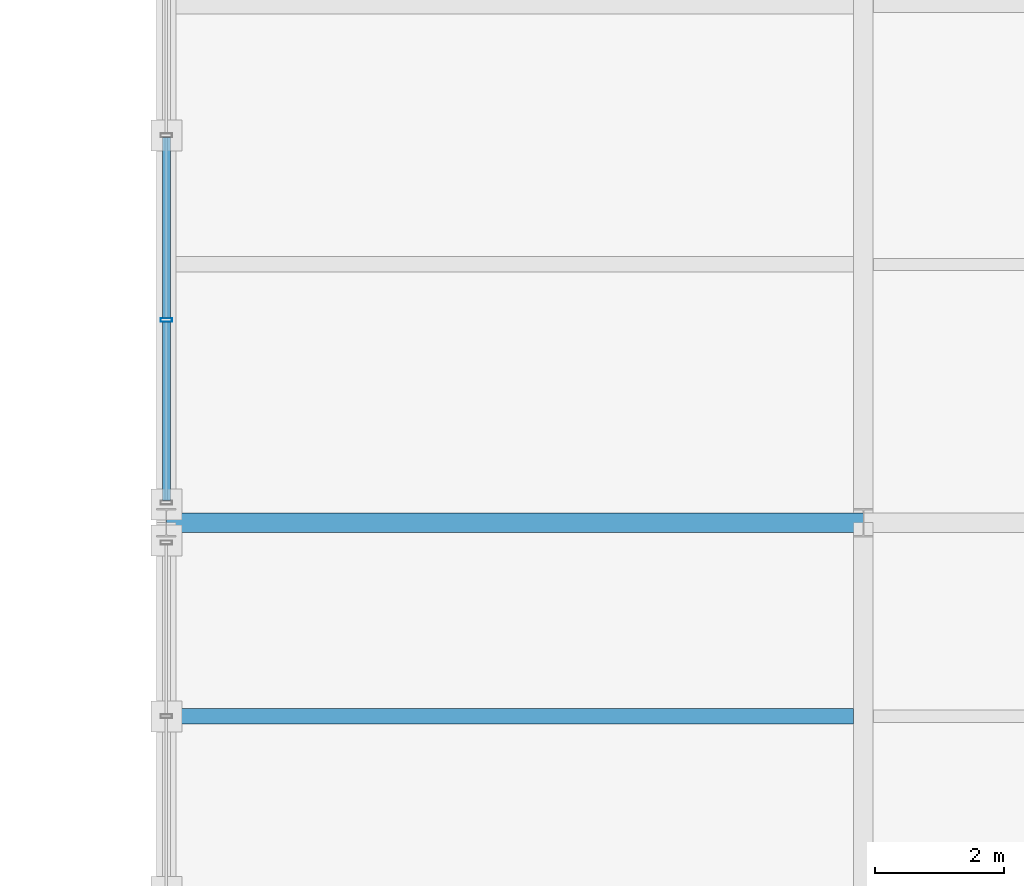
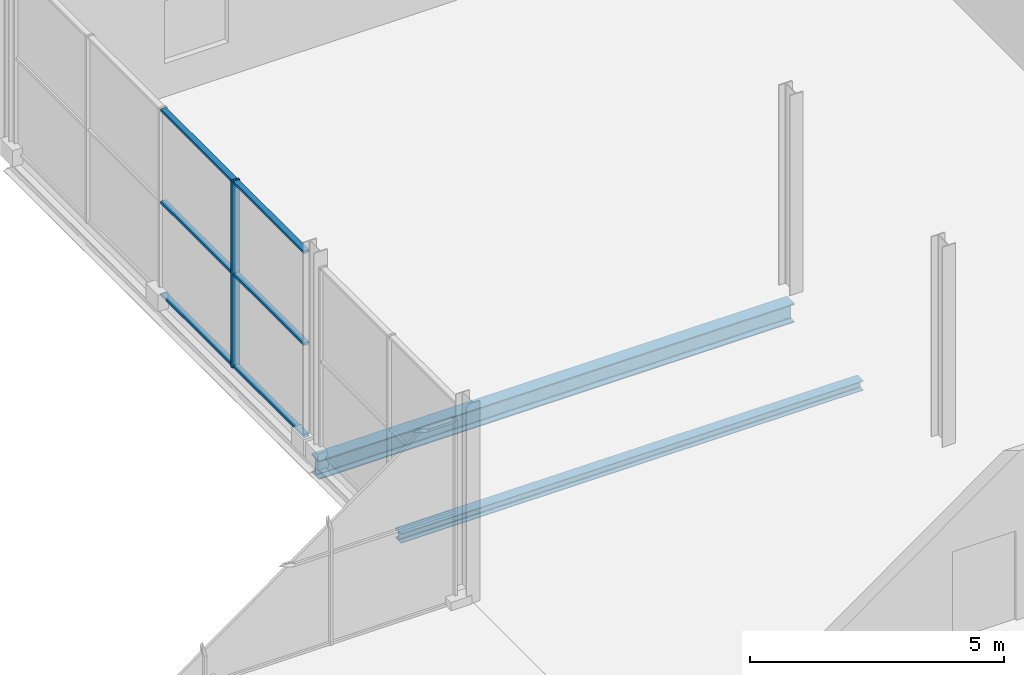
# One storey, part 113 of 159: 7 members, 2 beams, 1 element without a shape of its own.
"""IFC4 building model written with IfcOpenShell, lengths in metres."""

from ifc_helpers import new_model, si_unit, direction, frame, origin, origin_2d, place, context, subcontext, project, spatial, hollow_rectangle, i_section, extrude, material, material_profile, profile_set, type_object, element, aggregate, save


model = new_model("IFC4")

# Units and contexts
model_context = context("Model", 3, precision=1e-05, world=origin(), true_north=direction((0.0, 1.0)))
body_context = subcontext(model_context, "Body", "Model", "MODEL_VIEW")
ifc_project = project(units=[si_unit("LENGTHUNIT", "METRE"), si_unit("AREAUNIT", "SQUARE_METRE"), si_unit("VOLUMEUNIT", "CUBIC_METRE"), si_unit("PLANEANGLEUNIT", "RADIAN"), si_unit("MASSUNIT", "GRAM", prefix="KILO")], contexts=[model_context])

# Site, building, storey
site_placement = place(None, origin())
site = spatial("IfcSite", under=ifc_project, at=site_placement, CompositionType="ELEMENT")
building_placement = place(site_placement, origin())
building = spatial("IfcBuilding", under=site, at=building_placement, Name="Merenkruunu Market Hall", CompositionType="ELEMENT")
storey_placement = place(building_placement, frame((0.0, 0.0, 5.39990234375)))
storey = spatial("IfcBuildingStorey", under=building, at=storey_placement, Name="L01", CompositionType="ELEMENT", Elevation=5.39990234375)

# Curtain wall, members
ifc_material_1 = material(Name="Powder-coated aluminium", Category="aluminium")
curtain_wall_type = type_object("IfcCurtainWallType", Name="Glazed Curtain Wall CW14", PredefinedType="USERDEFINED", material=ifc_material_1)
curtain_wall_placement = place(storey_placement, origin())
curtain_wall = element("IfcCurtainWall", 1, at=curtain_wall_placement, inside=storey, type_object=curtain_wall_type, Name="CW-L01-CWM02-214", ObjectType="GLAZED_FACADE", PredefinedType="USERDEFINED")
ifc_material_profile_1 = material_profile(ifc_material_1, hollow_rectangle(XDim=0.06005859375, YDim=0.179931640625, WallThickness=0.00390625, at=origin_2d()), Name="ALU 60x180x4")
ifc_profile_set_1 = profile_set([ifc_material_profile_1], Name="Powder-coated aluminium")
member_type_1 = type_object("IfcMemberType", Name="Curtain Wall Mullion CWM02", PredefinedType="MULLION", material=ifc_profile_set_1)
member_1_placement = place(storey_placement, frame((148.800048828125, 54.739990234375, 0.0), z_axis=(0.0, 0.0, 1.0), x_axis=(0.0, 1.0, 0.0)))
member_1 = element("IfcMember", 2, at=member_1_placement, type_object=member_type_1, Name="CW14 mullion 2", PredefinedType="MULLION", context=body_context, shape_type="SweptSolid", body=[
    extrude(hollow_rectangle(XDim=0.06005859375, YDim=0.179931640625, WallThickness=0.00390625, at=origin_2d()), origin(), (0.0, 0.0, 1.0), 4.47998046875),
])
ifc_material_profile_2 = material_profile(ifc_material_1, hollow_rectangle(XDim=0.06005859375, YDim=0.125, WallThickness=0.00390625, at=origin_2d()), Name="ALU 60x125x4")
ifc_profile_set_2 = profile_set([ifc_material_profile_2], Name="Powder-coated aluminium")
member_type_2 = type_object("IfcMemberType", Name="Curtain Wall Transom CWT01", PredefinedType="USERDEFINED", material=ifc_profile_set_2)
member_2_placement = place(storey_placement, frame((148.800048828125, 51.93994140625, 0.030029296875), z_axis=(0.0, 1.0, 0.0), x_axis=(0.0, 0.0, 1.0)))
member_2 = element("IfcMember", 3, at=member_2_placement, type_object=member_type_2, Name="CW14 transom 1.1", ObjectType="TRANSOM", PredefinedType="USERDEFINED", context=body_context, shape_type="SweptSolid", body=[
    extrude(hollow_rectangle(XDim=0.06005859375, YDim=0.125, WallThickness=0.00390625, at=origin_2d()), origin(), (0.0, 0.0, 1.0), 2.77001953125),
])
member_3_placement = place(storey_placement, frame((148.800048828125, 51.93994140625, 2.239990234375), z_axis=(0.0, 1.0, 0.0), x_axis=(0.0, 0.0, 1.0)))
member_3 = element("IfcMember", 4, at=member_3_placement, type_object=member_type_2, Name="CW14 transom 1.2", ObjectType="TRANSOM", PredefinedType="USERDEFINED", context=body_context, shape_type="SweptSolid", body=[
    extrude(hollow_rectangle(XDim=0.06005859375, YDim=0.125, WallThickness=0.00390625, at=origin_2d()), origin(), (0.0, 0.0, 1.0), 2.77001953125),
])
member_4_placement = place(storey_placement, frame((148.800048828125, 51.93994140625, 4.4501953125), z_axis=(0.0, 1.0, 0.0), x_axis=(0.0, 0.0, 1.0)))
member_4 = element("IfcMember", 5, at=member_4_placement, type_object=member_type_2, Name="CW14 transom 1.3", ObjectType="TRANSOM", PredefinedType="USERDEFINED", context=body_context, shape_type="SweptSolid", body=[
    extrude(hollow_rectangle(XDim=0.06005859375, YDim=0.125, WallThickness=0.00390625, at=origin_2d()), origin(), (0.0, 0.0, 1.0), 2.77001953125),
])
member_5_placement = place(storey_placement, frame((148.800048828125, 54.77001953125, 0.030029296875), z_axis=(0.0, 1.0, 0.0), x_axis=(0.0, 0.0, 1.0)))
member_5 = element("IfcMember", 6, at=member_5_placement, type_object=member_type_2, Name="CW14 transom 2.1", ObjectType="TRANSOM", PredefinedType="USERDEFINED", context=body_context, shape_type="SweptSolid", body=[
    extrude(hollow_rectangle(XDim=0.06005859375, YDim=0.125, WallThickness=0.00390625, at=origin_2d()), origin(), (0.0, 0.0, 1.0), 2.800048828125),
])
member_6_placement = place(storey_placement, frame((148.800048828125, 54.77001953125, 2.239990234375), z_axis=(0.0, 1.0, 0.0), x_axis=(0.0, 0.0, 1.0)))
member_6 = element("IfcMember", 7, at=member_6_placement, type_object=member_type_2, Name="CW14 transom 2.2", ObjectType="TRANSOM", PredefinedType="USERDEFINED", context=body_context, shape_type="SweptSolid", body=[
    extrude(hollow_rectangle(XDim=0.06005859375, YDim=0.125, WallThickness=0.00390625, at=origin_2d()), origin(), (0.0, 0.0, 1.0), 2.800048828125),
])
member_7_placement = place(storey_placement, frame((148.800048828125, 54.77001953125, 4.4501953125), z_axis=(0.0, 1.0, 0.0), x_axis=(0.0, 0.0, 1.0)))
member_7 = element("IfcMember", 8, at=member_7_placement, type_object=member_type_2, Name="CW14 transom 2.3", ObjectType="TRANSOM", PredefinedType="USERDEFINED", context=body_context, shape_type="SweptSolid", body=[
    extrude(hollow_rectangle(XDim=0.06005859375, YDim=0.125, WallThickness=0.00390625, at=origin_2d()), origin(), (0.0, 0.0, 1.0), 2.800048828125),
])
aggregate(curtain_wall, [member_1, member_2, member_3, member_4, member_5, member_6, member_7])

# Beams
ifc_material_2 = material(Name="Steel S355J2", Category="steel")
ifc_material_profile_3 = material_profile(ifc_material_2, i_section(OverallWidth=0.300048828125, OverallDepth=0.449951171875, WebThickness=0.013916015625, FlangeThickness=0.02587890625, FilletRadius=0.027099609375, at=origin_2d()), Name="HEB 450")
ifc_profile_set_3 = profile_set([ifc_material_profile_3], Name="Steel S355J2")
beam_type_1 = type_object("IfcBeamType", Name="Primary Floor Girder B03", PredefinedType="BEAM", material=ifc_profile_set_3)
beam_1_placement = place(storey_placement, frame((148.800048828125, 51.60009765625, -0.5048828125), z_axis=(1.0, 0.0, 0.0), x_axis=(0.0, 1.0, 0.0)))
element("IfcBeam", 9, at=beam_1_placement, inside=storey, type_object=beam_type_1, Name="BM-L01-B03-0522", PredefinedType="BEAM", context=body_context, shape_type="SweptSolid", body=[
    extrude(i_section(OverallWidth=0.300048828125, OverallDepth=0.449951171875, WebThickness=0.013916015625, FlangeThickness=0.02587890625, FilletRadius=0.027099609375, at=origin_2d()), origin(), (0.0, 0.0, 1.0), 10.800048828125),
])
ifc_material_profile_4 = material_profile(ifc_material_2, i_section(OverallWidth=0.239990234375, OverallDepth=0.22998046875, WebThickness=0.007568359375, FlangeThickness=0.011962890625, FilletRadius=0.02099609375, at=origin_2d()), Name="HEA 240")
ifc_profile_set_4 = profile_set([ifc_material_profile_4], Name="Steel S355J2")
beam_type_2 = type_object("IfcBeamType", Name="Secondary Floor Joist J06", PredefinedType="JOIST", material=ifc_profile_set_4)
beam_2_placement = place(storey_placement, frame((148.952880859375, 48.60009765625, -0.39501953125), z_axis=(1.0, 0.0, 0.0), x_axis=(0.0, 1.0, 0.0)))
element("IfcBeam", 10, at=beam_2_placement, inside=storey, type_object=beam_type_2, Name="BM-L01-J06-0708", PredefinedType="JOIST", context=body_context, shape_type="SweptSolid", body=[
    extrude(i_section(OverallWidth=0.239990234375, OverallDepth=0.22998046875, WebThickness=0.007568359375, FlangeThickness=0.011962890625, FilletRadius=0.02099609375, at=origin_2d()), origin(), (0.0, 0.0, 1.0), 10.494140625),
])

save(model, "model.ifc")
